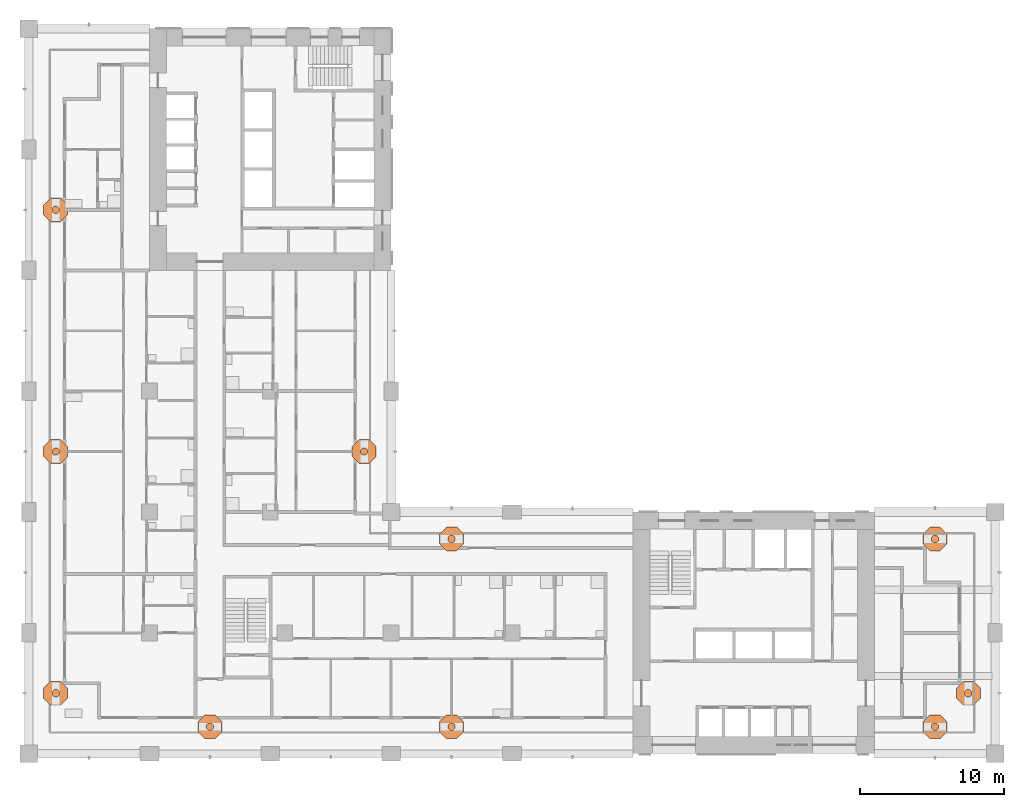
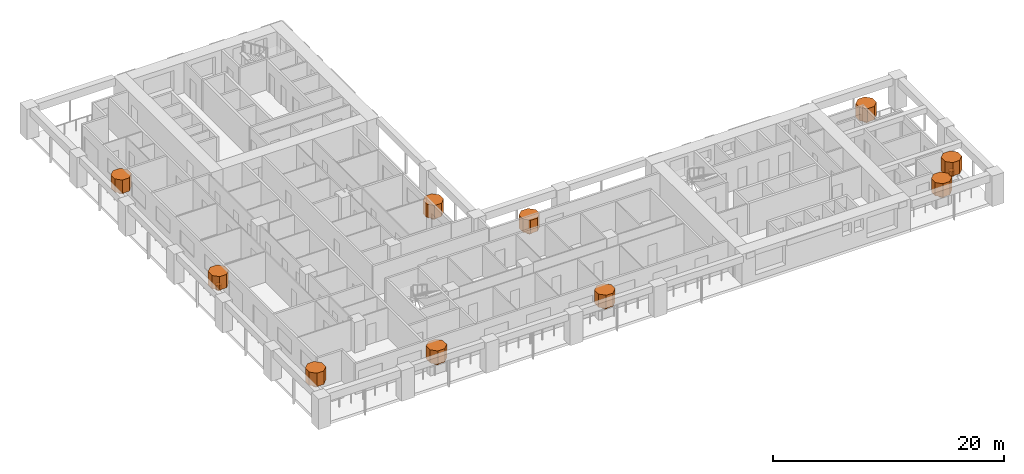
# One storey, part 19 of 19: 20 geographic elements.
"""IFC4 building model written with IfcOpenShell, lengths in metres."""

from ifc_helpers import new_model, si_unit, direction, frame, origin, place, context, subcontext, project, spatial, polyline, outline, extrude, material, element, save


model = new_model("IFC4")

# Units and contexts
model_context = context("Model", 3, precision=1e-05, world=origin(), true_north=direction((0.0, 1.0)))
body_context = subcontext(model_context, "Body", "Model", "MODEL_VIEW")
ifc_project = project(units=[si_unit("LENGTHUNIT", "METRE"), si_unit("AREAUNIT", "SQUARE_METRE"), si_unit("VOLUMEUNIT", "CUBIC_METRE"), si_unit("PLANEANGLEUNIT", "RADIAN"), si_unit("MASSUNIT", "GRAM", prefix="KILO")], contexts=[model_context])

# Site, building, storey
site_placement = place(None, origin())
site = spatial("IfcSite", under=ifc_project, at=site_placement, CompositionType="ELEMENT")
building_placement = place(site_placement, origin())
building = spatial("IfcBuilding", under=site, at=building_placement, Name="Vermilion Gate Residences", CompositionType="ELEMENT")
storey_placement = place(building_placement, frame((0.0, 0.0, 123.199951171875)))
storey = spatial("IfcBuildingStorey", under=building, at=storey_placement, Name="L31", CompositionType="ELEMENT", Elevation=123.199951171875)

# Geographic elements
ifc_material = material(Name="Foliage")
geographic_element_1_placement = place(storey_placement, frame((0.0, 0.0, 0.900146484375)))
element("IfcGeographicElement", 1, at=geographic_element_1_placement, inside=storey, material=ifc_material, Name="Tree (maple)", ObjectType="TREE", PredefinedType="USERDEFINED", context=body_context, shape_type="SweptSolid", body=[
    extrude(outline(polyline([(12.85400390625, 10.380126953125), (12.705078125, 10.529052734375), (12.494873046875, 10.529052734375), (12.345947265625, 10.380126953125), (12.345947265625, 10.169921875), (12.494873046875, 10.02099609375), (12.705078125, 10.02099609375), (12.85400390625, 10.169921875), (12.85400390625, 10.380126953125)])), origin(), (0.0, 0.0, 1.0), 0.52001953125),
])
geographic_element_2_placement = place(storey_placement, frame((0.0, 0.0, 1.420166015625)))
element("IfcGeographicElement", 2, at=geographic_element_2_placement, inside=storey, material=ifc_material, Name="Tree crown (maple)", ObjectType="TREE", PredefinedType="USERDEFINED", context=body_context, shape_type="SweptSolid", body=[
    extrude(outline(polyline([(13.431396484375, 10.619384765625), (12.9443359375, 11.1064453125), (12.255615234375, 11.1064453125), (11.7685546875, 10.619384765625), (11.7685546875, 9.9306640625), (12.255615234375, 9.443603515625), (12.9443359375, 9.443603515625), (13.431396484375, 9.9306640625), (13.431396484375, 10.619384765625)])), origin(), (0.0, 0.0, 1.0), 1.39990234375),
])
geographic_element_3_placement = place(storey_placement, frame((0.0, 0.0, 0.900146484375)))
element("IfcGeographicElement", 3, at=geographic_element_3_placement, inside=storey, material=ifc_material, Name="Tree (black pine)", ObjectType="TREE", PredefinedType="USERDEFINED", context=body_context, shape_type="SweptSolid", body=[
    extrude(outline(polyline([(29.654052734375, 10.380126953125), (29.505126953125, 10.529052734375), (29.294921875, 10.529052734375), (29.14599609375, 10.380126953125), (29.14599609375, 10.169921875), (29.294921875, 10.02099609375), (29.505126953125, 10.02099609375), (29.654052734375, 10.169921875), (29.654052734375, 10.380126953125)])), origin(), (0.0, 0.0, 1.0), 0.52001953125),
])
geographic_element_4_placement = place(storey_placement, frame((0.0, 0.0, 1.420166015625)))
element("IfcGeographicElement", 4, at=geographic_element_4_placement, inside=storey, material=ifc_material, Name="Tree crown (black pine)", ObjectType="TREE", PredefinedType="USERDEFINED", context=body_context, shape_type="SweptSolid", body=[
    extrude(outline(polyline([(30.2314453125, 10.619384765625), (29.744384765625, 11.1064453125), (29.0556640625, 11.1064453125), (28.568603515625, 10.619384765625), (28.568603515625, 9.9306640625), (29.0556640625, 9.443603515625), (29.744384765625, 9.443603515625), (30.2314453125, 9.9306640625), (30.2314453125, 10.619384765625)])), origin(), (0.0, 0.0, 1.0), 1.39990234375),
])
geographic_element_5_placement = place(storey_placement, frame((0.0, 0.0, 0.900146484375)))
element("IfcGeographicElement", 5, at=geographic_element_5_placement, inside=storey, material=ifc_material, Name="Tree (black pine)", ObjectType="TREE", PredefinedType="USERDEFINED", context=body_context, shape_type="SweptSolid", body=[
    extrude(outline(polyline([(63.254150390625, 10.380126953125), (63.105224609375, 10.529052734375), (62.894775390625, 10.529052734375), (62.745849609375, 10.380126953125), (62.745849609375, 10.169921875), (62.894775390625, 10.02099609375), (63.105224609375, 10.02099609375), (63.254150390625, 10.169921875), (63.254150390625, 10.380126953125)])), origin(), (0.0, 0.0, 1.0), 0.52001953125),
])
geographic_element_6_placement = place(storey_placement, frame((0.0, 0.0, 1.420166015625)))
element("IfcGeographicElement", 6, at=geographic_element_6_placement, inside=storey, material=ifc_material, Name="Tree crown (black pine)", ObjectType="TREE", PredefinedType="USERDEFINED", context=body_context, shape_type="SweptSolid", body=[
    extrude(outline(polyline([(63.83154296875, 10.619384765625), (63.344482421875, 11.1064453125), (62.655517578125, 11.1064453125), (62.16845703125, 10.619384765625), (62.16845703125, 9.9306640625), (62.655517578125, 9.443603515625), (63.344482421875, 9.443603515625), (63.83154296875, 9.9306640625), (63.83154296875, 10.619384765625)])), origin(), (0.0, 0.0, 1.0), 1.39990234375),
])
geographic_element_7_placement = place(storey_placement, frame((0.0, 0.0, 0.900146484375)))
element("IfcGeographicElement", 7, at=geographic_element_7_placement, inside=storey, material=ifc_material, Name="Tree (maple)", ObjectType="TREE", PredefinedType="USERDEFINED", context=body_context, shape_type="SweptSolid", body=[
    extrude(outline(polyline([(65.5791015625, 12.705078125), (65.43017578125, 12.85400390625), (65.2197265625, 12.85400390625), (65.07080078125, 12.705078125), (65.07080078125, 12.494873046875), (65.2197265625, 12.345947265625), (65.43017578125, 12.345947265625), (65.5791015625, 12.494873046875), (65.5791015625, 12.705078125)])), origin(), (0.0, 0.0, 1.0), 0.52001953125),
])
geographic_element_8_placement = place(storey_placement, frame((0.0, 0.0, 1.420166015625)))
element("IfcGeographicElement", 8, at=geographic_element_8_placement, inside=storey, material=ifc_material, Name="Tree crown (maple)", ObjectType="TREE", PredefinedType="USERDEFINED", context=body_context, shape_type="SweptSolid", body=[
    extrude(outline(polyline([(66.156494140625, 12.9443359375), (65.66943359375, 13.431396484375), (64.980712890625, 13.431396484375), (64.493408203125, 12.9443359375), (64.493408203125, 12.255615234375), (64.980712890625, 11.7685546875), (65.66943359375, 11.7685546875), (66.156494140625, 12.255615234375), (66.156494140625, 12.9443359375)])), origin(), (0.0, 0.0, 1.0), 1.39990234375),
])
geographic_element_9_placement = place(storey_placement, frame((0.0, 0.0, 0.900146484375)))
element("IfcGeographicElement", 9, at=geographic_element_9_placement, inside=storey, material=ifc_material, Name="Tree (black pine)", ObjectType="TREE", PredefinedType="USERDEFINED", context=body_context, shape_type="SweptSolid", body=[
    extrude(outline(polyline([(29.654052734375, 23.43017578125), (29.505126953125, 23.5791015625), (29.294921875, 23.5791015625), (29.14599609375, 23.43017578125), (29.14599609375, 23.2197265625), (29.294921875, 23.07080078125), (29.505126953125, 23.07080078125), (29.654052734375, 23.2197265625), (29.654052734375, 23.43017578125)])), origin(), (0.0, 0.0, 1.0), 0.52001953125),
])
geographic_element_10_placement = place(storey_placement, frame((0.0, 0.0, 1.420166015625)))
element("IfcGeographicElement", 10, at=geographic_element_10_placement, inside=storey, material=ifc_material, Name="Tree crown (black pine)", ObjectType="TREE", PredefinedType="USERDEFINED", context=body_context, shape_type="SweptSolid", body=[
    extrude(outline(polyline([(30.2314453125, 23.66943359375), (29.744384765625, 24.156494140625), (29.0556640625, 24.156494140625), (28.568603515625, 23.66943359375), (28.568603515625, 22.980712890625), (29.0556640625, 22.493408203125), (29.744384765625, 22.493408203125), (30.2314453125, 22.980712890625), (30.2314453125, 23.66943359375)])), origin(), (0.0, 0.0, 1.0), 1.39990234375),
])
geographic_element_11_placement = place(storey_placement, frame((0.0, 0.0, 0.900146484375)))
element("IfcGeographicElement", 11, at=geographic_element_11_placement, inside=storey, material=ifc_material, Name="Tree (black pine)", ObjectType="TREE", PredefinedType="USERDEFINED", context=body_context, shape_type="SweptSolid", body=[
    extrude(outline(polyline([(63.254150390625, 23.43017578125), (63.105224609375, 23.5791015625), (62.894775390625, 23.5791015625), (62.745849609375, 23.43017578125), (62.745849609375, 23.2197265625), (62.894775390625, 23.07080078125), (63.105224609375, 23.07080078125), (63.254150390625, 23.2197265625), (63.254150390625, 23.43017578125)])), origin(), (0.0, 0.0, 1.0), 0.52001953125),
])
geographic_element_12_placement = place(storey_placement, frame((0.0, 0.0, 1.420166015625)))
element("IfcGeographicElement", 12, at=geographic_element_12_placement, inside=storey, material=ifc_material, Name="Tree crown (black pine)", ObjectType="TREE", PredefinedType="USERDEFINED", context=body_context, shape_type="SweptSolid", body=[
    extrude(outline(polyline([(63.83154296875, 23.66943359375), (63.344482421875, 24.156494140625), (62.655517578125, 24.156494140625), (62.16845703125, 23.66943359375), (62.16845703125, 22.980712890625), (62.655517578125, 22.493408203125), (63.344482421875, 22.493408203125), (63.83154296875, 22.980712890625), (63.83154296875, 23.66943359375)])), origin(), (0.0, 0.0, 1.0), 1.39990234375),
])
geographic_element_13_placement = place(storey_placement, frame((0.0, 0.0, 0.900146484375)))
element("IfcGeographicElement", 13, at=geographic_element_13_placement, inside=storey, material=ifc_material, Name="Tree (black pine)", ObjectType="TREE", PredefinedType="USERDEFINED", context=body_context, shape_type="SweptSolid", body=[
    extrude(outline(polyline([(23.5791015625, 29.505126953125), (23.43017578125, 29.654052734375), (23.2197265625, 29.654052734375), (23.07080078125, 29.505126953125), (23.07080078125, 29.294921875), (23.2197265625, 29.14599609375), (23.43017578125, 29.14599609375), (23.5791015625, 29.294921875), (23.5791015625, 29.505126953125)])), origin(), (0.0, 0.0, 1.0), 0.52001953125),
])
geographic_element_14_placement = place(storey_placement, frame((0.0, 0.0, 1.420166015625)))
element("IfcGeographicElement", 14, at=geographic_element_14_placement, inside=storey, material=ifc_material, Name="Tree crown (black pine)", ObjectType="TREE", PredefinedType="USERDEFINED", context=body_context, shape_type="SweptSolid", body=[
    extrude(outline(polyline([(24.156494140625, 29.744384765625), (23.66943359375, 30.2314453125), (22.980712890625, 30.2314453125), (22.493408203125, 29.744384765625), (22.493408203125, 29.0556640625), (22.980712890625, 28.568603515625), (23.66943359375, 28.568603515625), (24.156494140625, 29.0556640625), (24.156494140625, 29.744384765625)])), origin(), (0.0, 0.0, 1.0), 1.39990234375),
])
geographic_element_15_placement = place(storey_placement, frame((0.0, 0.0, 0.900146484375)))
element("IfcGeographicElement", 15, at=geographic_element_15_placement, inside=storey, material=ifc_material, Name="Tree (maple)", ObjectType="TREE", PredefinedType="USERDEFINED", context=body_context, shape_type="SweptSolid", body=[
    extrude(outline(polyline([(2.129150390625, 12.705078125), (1.980224609375, 12.85400390625), (1.769775390625, 12.85400390625), (1.620849609375, 12.705078125), (1.620849609375, 12.494873046875), (1.769775390625, 12.345947265625), (1.980224609375, 12.345947265625), (2.129150390625, 12.494873046875), (2.129150390625, 12.705078125)])), origin(), (0.0, 0.0, 1.0), 0.52001953125),
])
geographic_element_16_placement = place(storey_placement, frame((0.0, 0.0, 1.420166015625)))
element("IfcGeographicElement", 16, at=geographic_element_16_placement, inside=storey, material=ifc_material, Name="Tree crown (maple)", ObjectType="TREE", PredefinedType="USERDEFINED", context=body_context, shape_type="SweptSolid", body=[
    extrude(outline(polyline([(2.70654296875, 12.9443359375), (2.219482421875, 13.431396484375), (1.530517578125, 13.431396484375), (1.04345703125, 12.9443359375), (1.04345703125, 12.255615234375), (1.530517578125, 11.7685546875), (2.219482421875, 11.7685546875), (2.70654296875, 12.255615234375), (2.70654296875, 12.9443359375)])), origin(), (0.0, 0.0, 1.0), 1.39990234375),
])
geographic_element_17_placement = place(storey_placement, frame((0.0, 0.0, 0.900146484375)))
element("IfcGeographicElement", 17, at=geographic_element_17_placement, inside=storey, material=ifc_material, Name="Tree (black pine)", ObjectType="TREE", PredefinedType="USERDEFINED", context=body_context, shape_type="SweptSolid", body=[
    extrude(outline(polyline([(2.129150390625, 29.505126953125), (1.980224609375, 29.654052734375), (1.769775390625, 29.654052734375), (1.620849609375, 29.505126953125), (1.620849609375, 29.294921875), (1.769775390625, 29.14599609375), (1.980224609375, 29.14599609375), (2.129150390625, 29.294921875), (2.129150390625, 29.505126953125)])), origin(), (0.0, 0.0, 1.0), 0.52001953125),
])
geographic_element_18_placement = place(storey_placement, frame((0.0, 0.0, 1.420166015625)))
element("IfcGeographicElement", 18, at=geographic_element_18_placement, inside=storey, material=ifc_material, Name="Tree crown (black pine)", ObjectType="TREE", PredefinedType="USERDEFINED", context=body_context, shape_type="SweptSolid", body=[
    extrude(outline(polyline([(2.70654296875, 29.744384765625), (2.219482421875, 30.2314453125), (1.530517578125, 30.2314453125), (1.04345703125, 29.744384765625), (1.04345703125, 29.0556640625), (1.530517578125, 28.568603515625), (2.219482421875, 28.568603515625), (2.70654296875, 29.0556640625), (2.70654296875, 29.744384765625)])), origin(), (0.0, 0.0, 1.0), 1.39990234375),
])
geographic_element_19_placement = place(storey_placement, frame((0.0, 0.0, 0.900146484375)))
element("IfcGeographicElement", 19, at=geographic_element_19_placement, inside=storey, material=ifc_material, Name="Tree (maple)", ObjectType="TREE", PredefinedType="USERDEFINED", context=body_context, shape_type="SweptSolid", body=[
    extrude(outline(polyline([(2.129150390625, 46.30517578125), (1.980224609375, 46.4541015625), (1.769775390625, 46.4541015625), (1.620849609375, 46.30517578125), (1.620849609375, 46.0947265625), (1.769775390625, 45.94580078125), (1.980224609375, 45.94580078125), (2.129150390625, 46.0947265625), (2.129150390625, 46.30517578125)])), origin(), (0.0, 0.0, 1.0), 0.52001953125),
])
geographic_element_20_placement = place(storey_placement, frame((0.0, 0.0, 1.420166015625)))
element("IfcGeographicElement", 20, at=geographic_element_20_placement, inside=storey, material=ifc_material, Name="Tree crown (maple)", ObjectType="TREE", PredefinedType="USERDEFINED", context=body_context, shape_type="SweptSolid", body=[
    extrude(outline(polyline([(2.70654296875, 46.54443359375), (2.219482421875, 47.031494140625), (1.530517578125, 47.031494140625), (1.04345703125, 46.54443359375), (1.04345703125, 45.855712890625), (1.530517578125, 45.368408203125), (2.219482421875, 45.368408203125), (2.70654296875, 45.855712890625), (2.70654296875, 46.54443359375)])), origin(), (0.0, 0.0, 1.0), 1.39990234375),
])

save(model, "model.ifc")
